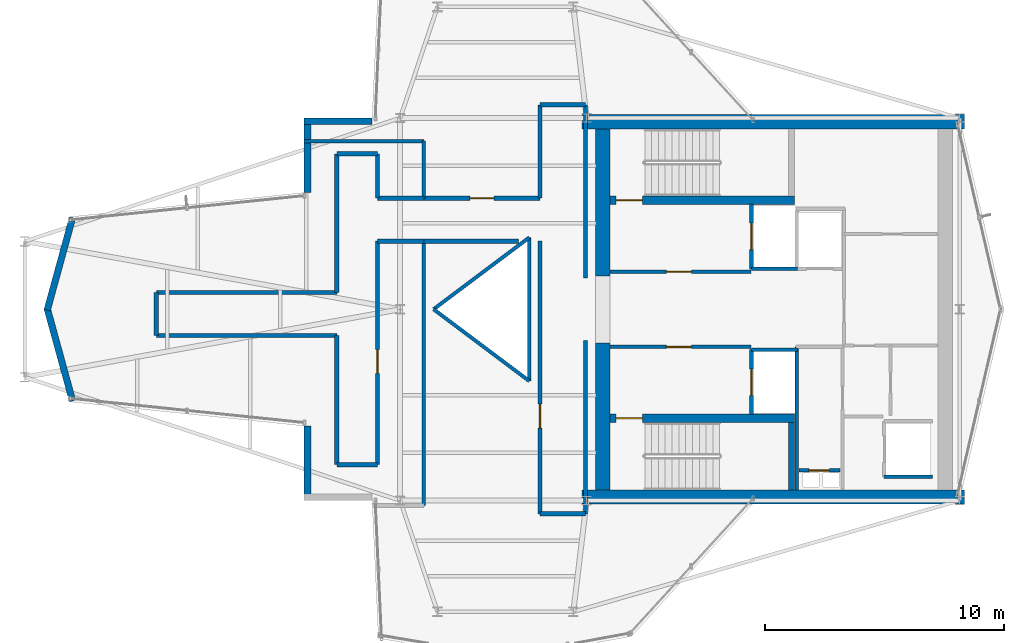
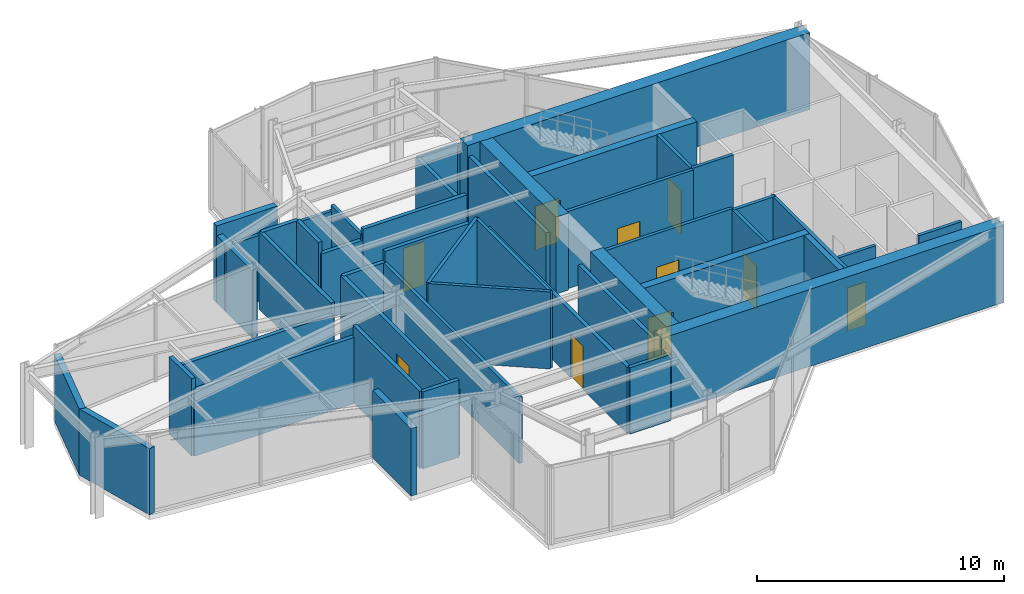
# One storey, part 12 of 14: 46 walls, 10 doors, 10 openings.
"""IFC4 building model written with IfcOpenShell, lengths in metres."""

from ifc_helpers import new_model, si_unit, direction, frame, frame_2d, origin, place, context, subcontext, project, spatial, rectangle, extrude, material, layer, layer_set, type_object, element, fill, save


model = new_model("IFC4")

# Units and contexts
model_context = context("Model", 3, precision=1e-05, world=origin(), true_north=direction((0.0, 1.0)))
body_context = subcontext(model_context, "Body", "Model", "MODEL_VIEW")
ifc_project = project(units=[si_unit("LENGTHUNIT", "METRE"), si_unit("AREAUNIT", "SQUARE_METRE"), si_unit("VOLUMEUNIT", "CUBIC_METRE"), si_unit("PLANEANGLEUNIT", "RADIAN"), si_unit("MASSUNIT", "GRAM", prefix="KILO")], contexts=[model_context])

# Site, building, storey
site_placement = place(None, origin())
site = spatial("IfcSite", under=ifc_project, at=site_placement, CompositionType="ELEMENT")
building_placement = place(site_placement, origin())
building = spatial("IfcBuilding", under=site, at=building_placement, Name="Veymaron Broadcast Tower", CompositionType="ELEMENT")
storey_placement = place(building_placement, frame((0.0, 0.0, 283.050048828125)))
storey = spatial("IfcBuildingStorey", under=building, at=storey_placement, Name="L66", CompositionType="ELEMENT", Elevation=283.050048828125)

# Walls
ifc_material_1 = material(Name="Precast concrete C40/50", Category="concrete")
ifc_layer_1 = layer(ifc_material_1, 0.280029296875)
ifc_layer_set_1 = layer_set([ifc_layer_1], Name="Precast concrete C40/50")
wall_type_1 = type_object("IfcWallType", Name="WALL-EXT-280", PredefinedType="STANDARD", material=ifc_layer_set_1)
wall_1_placement = place(storey_placement, frame((30.02197265625, 31.860107421875, 0.0), z_axis=(0.0, 0.0, 1.0), x_axis=(-1.0, 0.0, 0.0)))
element("IfcWall", 1, at=wall_1_placement, inside=storey, type_object=wall_type_1, Name="L66 notched corner facade pier 9-1", PredefinedType="STANDARD", context=body_context, shape_type="SweptSolid", body=[
    extrude(rectangle(XDim=2.83642578125, YDim=0.280029296875, at=frame_2d((1.418212890625, 0.0))), origin(), (0.0, 0.0, 1.0), 3.81005859375),
])
wall_2_placement = place(storey_placement, frame((27.32568359375, 32.0, 0.0), z_axis=(0.0, 0.0, 1.0), x_axis=(0.0, -1.0, 0.0)))
element("IfcWall", 2, at=wall_2_placement, inside=storey, type_object=wall_type_1, Name="L66 notched corner facade pier 10-1", PredefinedType="STANDARD", context=body_context, shape_type="SweptSolid", body=[
    extrude(rectangle(XDim=3.114013671875, YDim=0.280029296875, at=frame_2d((1.55712890625, 0.0))), origin(), (0.0, 0.0, 1.0), 3.3388671875),
])
for number, where, z_axis, x_axis, name in (
    (3, (17.4951171875, 27.83349609375, 0.0), (0.0, 0.0, 1.0), (-0.264373116581, -0.964420476364, 0.0), "L66 notched corner facade pier 12-1"),
    (4, (16.43408203125, 24.037109375, 0.0), (0.0, 0.0, 1.0), (0.264373116581, -0.964420476364, 0.0), "L66 notched corner facade pier 13-1"),
):
    element("IfcWall", number, at=place(storey_placement, frame(where, z_axis=z_axis, x_axis=x_axis)), inside=storey, type_object=wall_type_1, Name=name, PredefinedType="STANDARD", context=body_context, shape_type="SweptSolid", body=[
        extrude(rectangle(XDim=4.013427734375, YDim=0.280029296875, at=frame_2d((2.0068359375, 0.0))), origin(), (0.0, 0.0, 1.0), 3.27001953125),
    ])
wall_3_placement = place(storey_placement, frame((27.32568359375, 19.114013671875, 0.0), z_axis=(0.0, 0.0, 1.0), x_axis=(0.0, -1.0, 0.0)))
element("IfcWall", 5, at=wall_3_placement, inside=storey, type_object=wall_type_1, Name="L66 notched corner facade pier 15-1", PredefinedType="STANDARD", context=body_context, shape_type="SweptSolid", body=[
    extrude(rectangle(XDim=3.114013671875, YDim=0.280029296875, at=frame_2d((1.55712890625, 0.0))), origin(), (0.0, 0.0, 1.0), 3.3388671875),
])

# Wall, opening, door
ifc_material_2 = material(Name="Gypsum fireboard and steel stud framing", Category="steel")
ifc_layer_2 = layer(ifc_material_2, 0.14990234375)
ifc_layer_set_2 = layer_set([ifc_layer_2], Name="Gypsum fireboard and steel stud framing")
wall_type_2 = type_object("IfcWallType", Name="WALL-FIRE-150", PredefinedType="PARTITIONING", material=ifc_layer_set_2)
wall_4_placement = place(storey_placement, frame((39.97998046875, 25.574951171875, 0.0), z_axis=(0.0, 0.0, 1.0), x_axis=(1.0, 0.0, 0.0)))
wall_4 = element("IfcWall", 6, at=wall_4_placement, inside=storey, type_object=wall_type_2, Name="L66 partition IW-L66-FFLN-S", PredefinedType="PARTITIONING", context=body_context, shape_type="SweptSolid", body=[
    extrude(rectangle(XDim=5.89990234375, YDim=0.14990234375, at=frame_2d((2.949951171875, 0.0))), origin(), (0.0, 0.0, 1.0), 3.81005859375),
])
opening_1_placement = place(wall_4_placement, frame((2.35009765625, 0.0, 0.0)))
opening_1 = element("IfcOpeningElement", 7, at=opening_1_placement, cuts=wall_4, Name="Opening ID-FL1", PredefinedType="OPENING", context=body_context, shape_type="SweptSolid", body=[
    extrude(rectangle(XDim=1.050048828125, YDim=2.14990234375, at=frame_2d((0.52490234375, 1.074951171875))), frame((0.0, 0.0849609375, 0.0), z_axis=(0.0, -1.0, 0.0), x_axis=(1.0, 0.0, 0.0)), (0.0, 0.0, 1.0), 0.169921875),
])
ifc_material_3 = material(Name="Fire-rated painted hollow steel ASTM A653", Category="steel")
door_type_1 = type_object("IfcDoorType", Name="DOOR-FIRE-1050", OperationType="NOTDEFINED", PredefinedType="DOOR", material=ifc_material_3)
door_1_placement = place(opening_1_placement, origin())
door_1 = element("IfcDoor", 8, at=door_1_placement, inside=storey, type_object=door_type_1, Name="L66 door DR-L66-FFLN", OperationType="SINGLE_SWING_LEFT", OverallHeight=2.14990234375, OverallWidth=1.050048828125, PredefinedType="DOOR", context=body_context, shape_type="SweptSolid", body=[
    extrude(rectangle(XDim=1.050048828125, YDim=2.14990234375, at=frame_2d((0.52490234375, 1.074951171875))), frame((0.0, 0.02490234375, 0.0), z_axis=(0.0, -1.0, 0.0), x_axis=(1.0, 0.0, 0.0)), (0.0, 0.0, 1.0), 0.050048828125),
])
fill(opening_1, door_1)

wall_5_placement = place(storey_placement, frame((39.97998046875, 22.425048828125, 0.0), z_axis=(0.0, 0.0, 1.0), x_axis=(1.0, 0.0, 0.0)))
wall_5 = element("IfcWall", 9, at=wall_5_placement, inside=storey, type_object=wall_type_2, Name="L66 partition IW-L66-FFLS-N", PredefinedType="PARTITIONING", context=body_context, shape_type="SweptSolid", body=[
    extrude(rectangle(XDim=5.89990234375, YDim=0.14990234375, at=frame_2d((2.949951171875, 0.0))), origin(), (0.0, 0.0, 1.0), 3.81005859375),
])
opening_2_placement = place(wall_5_placement, frame((2.35009765625, 0.0, 0.0)))
opening_2 = element("IfcOpeningElement", 10, at=opening_2_placement, cuts=wall_5, Name="Opening ID-FL1", PredefinedType="OPENING", context=body_context, shape_type="SweptSolid", body=[
    extrude(rectangle(XDim=1.050048828125, YDim=2.14990234375, at=frame_2d((0.52490234375, 1.074951171875))), frame((0.0, 0.0849609375, 0.0), z_axis=(0.0, -1.0, 0.0), x_axis=(1.0, 0.0, 0.0)), (0.0, 0.0, 1.0), 0.169921875),
])
door_2_placement = place(opening_2_placement, frame((1.050048828125, 0.0, 0.0), z_axis=(0.0, 0.0, 1.0), x_axis=(-1.0, 0.0, 0.0)))
door_2 = element("IfcDoor", 11, at=door_2_placement, inside=storey, type_object=door_type_1, Name="L66 door DR-L66-FFLS", OperationType="SINGLE_SWING_RIGHT", OverallHeight=2.14990234375, OverallWidth=1.050048828125, PredefinedType="DOOR", context=body_context, shape_type="SweptSolid", body=[
    extrude(rectangle(XDim=1.050048828125, YDim=2.14990234375, at=frame_2d((0.52490234375, 1.074951171875))), frame((0.0, 0.02490234375, 0.0), z_axis=(0.0, -1.0, 0.0), x_axis=(1.0, 0.0, 0.0)), (0.0, 0.0, 1.0), 0.050048828125),
])
fill(opening_2, door_2)

wall_6_placement = place(storey_placement, frame((45.89501953125, 25.68994140625, 0.0), z_axis=(0.0, 0.0, 1.0), x_axis=(0.0, 1.0, 0.0)))
wall_6 = element("IfcWall", 12, at=wall_6_placement, inside=storey, type_object=wall_type_2, Name="L66 partition IW-L66-SHW-FFL-1", PredefinedType="PARTITIONING", context=body_context, shape_type="SweptSolid", body=[
    extrude(rectangle(XDim=2.719970703125, YDim=0.14990234375, at=frame_2d((1.35986328125, 0.0))), origin(), (0.0, 0.0, 1.0), 3.81005859375),
])
opening_3_placement = place(wall_6_placement, frame((0.81005859375, 0.0, 0.0)))
opening_3 = element("IfcOpeningElement", 13, at=opening_3_placement, cuts=wall_6, Name="Opening LD", PredefinedType="OPENING", context=body_context, shape_type="SweptSolid", body=[
    extrude(rectangle(XDim=1.10009765625, YDim=2.14990234375, at=frame_2d((0.550048828125, 1.074951171875))), frame((0.0, 0.0849609375, 0.0), z_axis=(0.0, -1.0, 0.0), x_axis=(1.0, 0.0, 0.0)), (0.0, 0.0, 1.0), 0.169921875),
])
ifc_material_4 = material(Name="Brushed stainless steel AISI 304", Category="steel")
door_type_2 = type_object("IfcDoorType", Name="DOOR-LIFT-1100", OperationType="DOUBLE_DOOR_SLIDING", PredefinedType="DOOR", material=ifc_material_4)
door_3_placement = place(opening_3_placement, frame((1.10009765625, 0.0, 0.0), z_axis=(0.0, 0.0, 1.0), x_axis=(-1.0, 0.0, 0.0)))
door_3 = element("IfcDoor", 14, at=door_3_placement, inside=storey, type_object=door_type_2, Name="L66 door LD-L66-FFL-1", OperationType="DOUBLE_DOOR_SLIDING", OverallHeight=2.14990234375, OverallWidth=1.10009765625, PredefinedType="DOOR", context=body_context, shape_type="SweptSolid", body=[
    extrude(rectangle(XDim=1.10009765625, YDim=2.14990234375, at=frame_2d((0.550048828125, 1.074951171875))), frame((0.0, 0.02490234375, 0.0), z_axis=(0.0, -1.0, 0.0), x_axis=(1.0, 0.0, 0.0)), (0.0, 0.0, 1.0), 0.050048828125),
])
fill(opening_3, door_3)

# Wall
wall_7_placement = place(storey_placement, frame((45.89501953125, 25.68994140625, 0.0), z_axis=(0.0, 0.0, 1.0), x_axis=(1.0, 0.0, 0.0)))
element("IfcWall", 15, at=wall_7_placement, inside=storey, type_object=wall_type_2, Name="L66 partition IW-L66-SHS-FFL-1", PredefinedType="PARTITIONING", context=body_context, shape_type="SweptSolid", body=[
    extrude(rectangle(XDim=1.9150390625, YDim=0.14990234375, at=frame_2d((0.95751953125, 0.0))), origin(), (0.0, 0.0, 1.0), 3.81005859375),
])

# Wall, opening, door
wall_8_placement = place(storey_placement, frame((45.89501953125, 19.590087890625, 0.0), z_axis=(0.0, 0.0, 1.0), x_axis=(0.0, 1.0, 0.0)))
wall_8 = element("IfcWall", 16, at=wall_8_placement, inside=storey, type_object=wall_type_2, Name="L66 partition IW-L66-SHW-FFL-2", PredefinedType="PARTITIONING", context=body_context, shape_type="SweptSolid", body=[
    extrude(rectangle(XDim=2.719970703125, YDim=0.14990234375, at=frame_2d((1.35986328125, 0.0))), origin(), (0.0, 0.0, 1.0), 3.81005859375),
])
opening_4_placement = place(wall_8_placement, frame((0.81005859375, 0.0, 0.0)))
opening_4 = element("IfcOpeningElement", 17, at=opening_4_placement, cuts=wall_8, Name="Opening LD", PredefinedType="OPENING", context=body_context, shape_type="SweptSolid", body=[
    extrude(rectangle(XDim=1.10009765625, YDim=2.14990234375, at=frame_2d((0.550048828125, 1.074951171875))), frame((0.0, 0.0849609375, 0.0), z_axis=(0.0, -1.0, 0.0), x_axis=(1.0, 0.0, 0.0)), (0.0, 0.0, 1.0), 0.169921875),
])
door_4_placement = place(opening_4_placement, frame((1.10009765625, 0.0, 0.0), z_axis=(0.0, 0.0, 1.0), x_axis=(-1.0, 0.0, 0.0)))
door_4 = element("IfcDoor", 18, at=door_4_placement, inside=storey, type_object=door_type_2, Name="L66 door LD-L66-FFL-2", OperationType="DOUBLE_DOOR_SLIDING", OverallHeight=2.14990234375, OverallWidth=1.10009765625, PredefinedType="DOOR", context=body_context, shape_type="SweptSolid", body=[
    extrude(rectangle(XDim=1.10009765625, YDim=2.14990234375, at=frame_2d((0.550048828125, 1.074951171875))), frame((0.0, 0.02490234375, 0.0), z_axis=(0.0, -1.0, 0.0), x_axis=(1.0, 0.0, 0.0)), (0.0, 0.0, 1.0), 0.050048828125),
])
fill(opening_4, door_4)

# Walls
wall_9_placement = place(storey_placement, frame((45.89501953125, 22.31005859375, 0.0), z_axis=(0.0, 0.0, 1.0), x_axis=(1.0, 0.0, 0.0)))
element("IfcWall", 19, at=wall_9_placement, inside=storey, type_object=wall_type_2, Name="L66 partition IW-L66-SHN-FFL-2", PredefinedType="PARTITIONING", context=body_context, shape_type="SweptSolid", body=[
    extrude(rectangle(XDim=1.9150390625, YDim=0.14990234375, at=frame_2d((0.95751953125, 0.0))), origin(), (0.0, 0.0, 1.0), 3.81005859375),
])
wall_10_placement = place(storey_placement, frame((51.445068359375, 16.989990234375, 0.0), z_axis=(0.0, 0.0, 1.0), x_axis=(1.0, 0.0, 0.0)))
element("IfcWall", 20, at=wall_10_placement, inside=storey, type_object=wall_type_2, Name="L66 partition IW-L66-SHS-PH1", PredefinedType="PARTITIONING", context=body_context, shape_type="SweptSolid", body=[
    extrude(rectangle(XDim=2.014892578125, YDim=0.14990234375, at=frame_2d((1.00732421875, 0.0))), origin(), (0.0, 0.0, 1.0), 3.81005859375),
])

# Wall, opening, door
wall_11_placement = place(storey_placement, frame((47.8798828125, 17.260009765625, 0.0), z_axis=(0.0, 0.0, 1.0), x_axis=(1.0, 0.0, 0.0)))
wall_11 = element("IfcWall", 21, at=wall_11_placement, inside=storey, type_object=wall_type_2, Name="L66 partition IW-L66-RIS-N", PredefinedType="PARTITIONING", context=body_context, shape_type="SweptSolid", body=[
    extrude(rectangle(XDim=1.72021484375, YDim=0.14990234375, at=frame_2d((0.860107421875, 0.0))), origin(), (0.0, 0.0, 1.0), 3.81005859375),
])
opening_5_placement = place(wall_11_placement, frame((0.419921875, 0.0, 0.0)))
opening_5 = element("IfcOpeningElement", 22, at=opening_5_placement, cuts=wall_11, Name="Opening ID-RS1", PredefinedType="OPENING", context=body_context, shape_type="SweptSolid", body=[
    extrude(rectangle(XDim=0.85009765625, YDim=2.14990234375, at=frame_2d((0.425048828125, 1.074951171875))), frame((0.0, 0.0849609375, 0.0), z_axis=(0.0, -1.0, 0.0), x_axis=(1.0, 0.0, 0.0)), (0.0, 0.0, 1.0), 0.169921875),
])
ifc_material_5 = material(Name="Fire-rated powder-coated steel riser leaf", Category="steel")
door_type_3 = type_object("IfcDoorType", Name="DOOR-RIS-850", OperationType="NOTDEFINED", PredefinedType="TRAPDOOR", material=ifc_material_5)
door_5_placement = place(opening_5_placement, origin())
door_5 = element("IfcDoor", 23, at=door_5_placement, inside=storey, type_object=door_type_3, Name="L66 door DR-L66-RIS", OperationType="SINGLE_SWING_LEFT", OverallHeight=2.14990234375, OverallWidth=0.85009765625, PredefinedType="TRAPDOOR", context=body_context, shape_type="SweptSolid", body=[
    extrude(rectangle(XDim=0.85009765625, YDim=2.14990234375, at=frame_2d((0.425048828125, 1.074951171875))), frame((0.0, 0.02490234375, 0.0), z_axis=(0.0, -1.0, 0.0), x_axis=(1.0, 0.0, 0.0)), (0.0, 0.0, 1.0), 0.050048828125),
])
fill(opening_5, door_5)

# Wall
wall_12_placement = place(storey_placement, frame((47.780029296875, 16.449951171875, 0.0), z_axis=(0.0, 0.0, 1.0), x_axis=(0.0, 1.0, 0.0)))
element("IfcWall", 24, at=wall_12_placement, inside=storey, type_object=wall_type_2, Name="L66 partition IW-L66-SM-W", PredefinedType="PARTITIONING", context=body_context, shape_type="SweptSolid", body=[
    extrude(rectangle(XDim=5.97509765625, YDim=0.14990234375, at=frame_2d((2.987548828125, 0.0))), origin(), (0.0, 0.0, 1.0), 3.81005859375),
])

# Wall, opening, door
ifc_material_6 = material(Name="Concrete C40/50", Category="concrete")
ifc_layer_3 = layer(ifc_material_6, 0.179931640625)
ifc_layer_set_3 = layer_set([ifc_layer_3], Name="Concrete C40/50")
wall_type_3 = type_object("IfcWallType", Name="WALL-FIRE-180", PredefinedType="SOLIDWALL", material=ifc_layer_set_3)
wall_13_placement = place(storey_placement, frame((37.050048828125, 15.44677734375, 0.0), z_axis=(0.0, 0.0, 1.0), x_axis=(0.0, 1.0, 0.0)))
wall_13 = element("IfcWall", 25, at=wall_13_placement, inside=storey, type_object=wall_type_3, Name="L66 partition IW-L66-P01", PredefinedType="SOLIDWALL", context=body_context, shape_type="SweptSolid", body=[
    extrude(rectangle(XDim=11.4033203125, YDim=0.179931640625, at=frame_2d((5.70166015625, 0.0))), origin(), (0.0, 0.0, 1.0), 3.27001953125),
])
opening_6_placement = place(wall_13_placement, frame((3.58154296875, 0.0, 0.0)))
opening_6 = element("IfcOpeningElement", 26, at=opening_6_placement, cuts=wall_13, Name="Opening ID-RM3", PredefinedType="OPENING", context=body_context, shape_type="SweptSolid", body=[
    extrude(rectangle(XDim=1.0, YDim=2.14990234375, at=frame_2d((0.5, 1.074951171875))), frame((0.0, 0.10009765625, 0.0), z_axis=(0.0, -1.0, 0.0), x_axis=(1.0, 0.0, 0.0)), (0.0, 0.0, 1.0), 0.199951171875),
])
ifc_material_7 = material(Name="Acoustic solid-core European oak veneer timber", Category="wood")
door_type_4 = type_object("IfcDoorType", Name="DOOR-INT-1000", OperationType="NOTDEFINED", PredefinedType="DOOR", material=ifc_material_7)
door_6_placement = place(opening_6_placement, frame((1.0, 0.0, 0.0), z_axis=(0.0, 0.0, 1.0), x_axis=(-1.0, 0.0, 0.0)))
door_6 = element("IfcDoor", 27, at=door_6_placement, inside=storey, type_object=door_type_4, Name="L66 door DR-L66-P01", OperationType="SINGLE_SWING_RIGHT", OverallHeight=2.14990234375, OverallWidth=1.0, PredefinedType="DOOR", context=body_context, shape_type="SweptSolid", body=[
    extrude(rectangle(XDim=1.0, YDim=2.14990234375, at=frame_2d((0.5, 1.074951171875))), frame((0.0, 0.02490234375, 0.0), z_axis=(0.0, -1.0, 0.0), x_axis=(1.0, 0.0, 0.0)), (0.0, 0.0, 1.0), 0.050048828125),
])
fill(opening_6, door_6)

wall_14_placement = place(storey_placement, frame((30.25, 17.5, 0.0), z_axis=(0.0, 0.0, 1.0), x_axis=(0.0, 1.0, 0.0)))
wall_14 = element("IfcWall", 28, at=wall_14_placement, inside=storey, type_object=wall_type_3, Name="L66 partition IW-L66-P05", PredefinedType="SOLIDWALL", context=body_context, shape_type="SweptSolid", body=[
    extrude(rectangle(XDim=9.35009765625, YDim=0.179931640625, at=frame_2d((4.675048828125, 0.0))), origin(), (0.0, 0.0, 1.0), 3.27001953125),
])
opening_7_placement = place(wall_14_placement, frame((3.81494140625, 0.0, 0.0)))
opening_7 = element("IfcOpeningElement", 29, at=opening_7_placement, cuts=wall_14, Name="Opening ID-RM3", PredefinedType="OPENING", context=body_context, shape_type="SweptSolid", body=[
    extrude(rectangle(XDim=1.0, YDim=2.14990234375, at=frame_2d((0.5, 1.074951171875))), frame((0.0, 0.10009765625, 0.0), z_axis=(0.0, -1.0, 0.0), x_axis=(1.0, 0.0, 0.0)), (0.0, 0.0, 1.0), 0.199951171875),
])
door_7_placement = place(opening_7_placement, frame((1.0, 0.0, 0.0), z_axis=(0.0, 0.0, 1.0), x_axis=(-1.0, 0.0, 0.0)))
door_7 = element("IfcDoor", 30, at=door_7_placement, inside=storey, type_object=door_type_4, Name="L66 door DR-L66-P05", OperationType="SINGLE_SWING_RIGHT", OverallHeight=2.14990234375, OverallWidth=1.0, PredefinedType="DOOR", context=body_context, shape_type="SweptSolid", body=[
    extrude(rectangle(XDim=1.0, YDim=2.14990234375, at=frame_2d((0.5, 1.074951171875))), frame((0.0, 0.02490234375, 0.0), z_axis=(0.0, -1.0, 0.0), x_axis=(1.0, 0.0, 0.0)), (0.0, 0.0, 1.0), 0.050048828125),
])
fill(opening_7, door_7)

wall_15_placement = place(storey_placement, frame((32.194091796875, 28.64990234375, 0.0), z_axis=(0.0, 0.0, 1.0), x_axis=(1.0, 0.0, 0.0)))
wall_15 = element("IfcWall", 31, at=wall_15_placement, inside=storey, type_object=wall_type_3, Name="L66 partition IW-L66-P17", PredefinedType="SOLIDWALL", context=body_context, shape_type="SweptSolid", body=[
    extrude(rectangle(XDim=4.85595703125, YDim=0.179931640625, at=frame_2d((2.427978515625, 0.0))), origin(), (0.0, 0.0, 1.0), 3.81005859375),
])
opening_8_placement = place(wall_15_placement, frame((1.927978515625, 0.0, 0.0)))
opening_8 = element("IfcOpeningElement", 32, at=opening_8_placement, cuts=wall_15, Name="Opening ID-RM3", PredefinedType="OPENING", context=body_context, shape_type="SweptSolid", body=[
    extrude(rectangle(XDim=1.0, YDim=2.14990234375, at=frame_2d((0.5, 1.074951171875))), frame((0.0, 0.10009765625, 0.0), z_axis=(0.0, -1.0, 0.0), x_axis=(1.0, 0.0, 0.0)), (0.0, 0.0, 1.0), 0.199951171875),
])
door_8_placement = place(opening_8_placement, origin())
door_8 = element("IfcDoor", 33, at=door_8_placement, inside=storey, type_object=door_type_4, Name="L66 door DR-L66-P17", OperationType="SINGLE_SWING_RIGHT", OverallHeight=2.14990234375, OverallWidth=1.0, PredefinedType="DOOR", context=body_context, shape_type="SweptSolid", body=[
    extrude(rectangle(XDim=1.0, YDim=2.14990234375, at=frame_2d((0.5, 1.074951171875))), frame((0.0, 0.02490234375, 0.0), z_axis=(0.0, -1.0, 0.0), x_axis=(1.0, 0.0, 0.0)), (0.0, 0.0, 1.0), 0.050048828125),
])
fill(opening_8, door_8)

# Walls
wall_16_placement = place(storey_placement, frame((38.949951171875, 15.44677734375, 0.0), z_axis=(0.0, 0.0, 1.0), x_axis=(0.0, 1.0, 0.0)))
element("IfcWall", 34, at=wall_16_placement, inside=storey, type_object=wall_type_3, Name="L66 partition IW-L66-P02", PredefinedType="SOLIDWALL", context=body_context, shape_type="SweptSolid", body=[
    extrude(rectangle(XDim=7.253173828125, YDim=0.179931640625, at=frame_2d((3.62646484375, 0.0))), origin(), (0.0, 0.0, 1.0), 3.27001953125),
])
wall_17_placement = place(storey_placement, frame((32.194091796875, 26.85009765625, 0.0), z_axis=(0.0, 0.0, 1.0), x_axis=(1.0, 0.0, 0.0)))
element("IfcWall", 35, at=wall_17_placement, inside=storey, type_object=wall_type_3, Name="L66 partition IW-L66-P03", PredefinedType="SOLIDWALL", context=body_context, shape_type="SweptSolid", body=[
    extrude(rectangle(XDim=3.955810546875, YDim=0.179931640625, at=frame_2d((1.97802734375, 0.0))), origin(), (0.0, 0.0, 1.0), 3.81005859375),
])
wall_18_placement = place(storey_placement, frame((37.050048828125, 15.44677734375, 0.0), z_axis=(0.0, 0.0, 1.0), x_axis=(1.0, 0.0, 0.0)))
element("IfcWall", 36, at=wall_18_placement, inside=storey, type_object=wall_type_3, Name="L66 partition IW-L66-P04", PredefinedType="SOLIDWALL", context=body_context, shape_type="SweptSolid", body=[
    extrude(rectangle(XDim=1.89990234375, YDim=0.179931640625, at=frame_2d((0.949951171875, 0.0))), origin(), (0.0, 0.0, 1.0), 3.27001953125),
])
for number, where, z_axis, x_axis, name in (
    (37, (21.0, 22.89990234375, 0.0), (0.0, 0.0, 1.0), (1.0, 0.0, 0.0), "L66 partition IW-L66-P06"),
    (38, (21.0, 24.699951171875, 0.0), (0.0, 0.0, 1.0), (1.0, 0.0, 0.0), "L66 partition IW-L66-P07"),
):
    element("IfcWall", number, at=place(storey_placement, frame(where, z_axis=z_axis, x_axis=x_axis)), inside=storey, type_object=wall_type_3, Name=name, PredefinedType="SOLIDWALL", context=body_context, shape_type="SweptSolid", body=[
        extrude(rectangle(XDim=7.550048828125, YDim=0.179931640625, at=frame_2d((3.77490234375, 0.0))), origin(), (0.0, 0.0, 1.0), 3.27001953125),
    ])
wall_19_placement = place(storey_placement, frame((28.550048828125, 24.699951171875, 0.0), z_axis=(0.0, 0.0, 1.0), x_axis=(0.0, 1.0, 0.0)))
element("IfcWall", 39, at=wall_19_placement, inside=storey, type_object=wall_type_3, Name="L66 partition IW-L66-P08", PredefinedType="SOLIDWALL", context=body_context, shape_type="SweptSolid", body=[
    extrude(rectangle(XDim=5.800048828125, YDim=0.179931640625, at=frame_2d((2.89990234375, 0.0))), origin(), (0.0, 0.0, 1.0), 3.81005859375),
])
wall_20_placement = place(storey_placement, frame((28.550048828125, 17.5, 0.0), z_axis=(0.0, 0.0, 1.0), x_axis=(0.0, 1.0, 0.0)))
element("IfcWall", 40, at=wall_20_placement, inside=storey, type_object=wall_type_3, Name="L66 partition IW-L66-P09", PredefinedType="SOLIDWALL", context=body_context, shape_type="SweptSolid", body=[
    extrude(rectangle(XDim=5.39990234375, YDim=0.179931640625, at=frame_2d((2.699951171875, 0.0))), origin(), (0.0, 0.0, 1.0), 3.81005859375),
])
for number, where, z_axis, x_axis, name in (
    (41, (30.25, 26.85009765625, 0.0), (0.0, 0.0, 1.0), (1.0, 0.0, 0.0), "L66 partition IW-L66-P10"),
    (42, (30.25, 28.64990234375, 0.0), (0.0, 0.0, 1.0), (1.0, 0.0, 0.0), "L66 partition IW-L66-P11"),
):
    element("IfcWall", number, at=place(storey_placement, frame(where, z_axis=z_axis, x_axis=x_axis)), inside=storey, type_object=wall_type_3, Name=name, PredefinedType="SOLIDWALL", context=body_context, shape_type="SweptSolid", body=[
        extrude(rectangle(XDim=1.944091796875, YDim=0.179931640625, at=frame_2d((0.97216796875, 0.0))), origin(), (0.0, 0.0, 1.0), 3.27001953125),
    ])
wall_21_placement = place(storey_placement, frame((30.25, 28.64990234375, 0.0), z_axis=(0.0, 0.0, 1.0), x_axis=(0.0, 1.0, 0.0)))
element("IfcWall", 43, at=wall_21_placement, inside=storey, type_object=wall_type_3, Name="L66 partition IW-L66-P12", PredefinedType="SOLIDWALL", context=body_context, shape_type="SweptSolid", body=[
    extrude(rectangle(XDim=1.85009765625, YDim=0.179931640625, at=frame_2d((0.925048828125, 0.0))), origin(), (0.0, 0.0, 1.0), 3.81005859375),
])
wall_22_placement = place(storey_placement, frame((21.0, 22.89990234375, 0.0), z_axis=(0.0, 0.0, 1.0), x_axis=(0.0, 1.0, 0.0)))
element("IfcWall", 44, at=wall_22_placement, inside=storey, type_object=wall_type_3, Name="L66 partition IW-L66-P13", PredefinedType="SOLIDWALL", context=body_context, shape_type="SweptSolid", body=[
    extrude(rectangle(XDim=1.800048828125, YDim=0.179931640625, at=frame_2d((0.89990234375, 0.0))), origin(), (0.0, 0.0, 1.0), 3.81005859375),
])
for number, where, z_axis, x_axis, name in (
    (45, (28.550048828125, 17.5, 0.0), (0.0, 0.0, 1.0), (1.0, 0.0, 0.0), "L66 partition IW-L66-P14"),
    (46, (28.550048828125, 30.5, 0.0), (0.0, 0.0, 1.0), (1.0, 0.0, 0.0), "L66 partition IW-L66-P15"),
):
    element("IfcWall", number, at=place(storey_placement, frame(where, z_axis=z_axis, x_axis=x_axis)), inside=storey, type_object=wall_type_3, Name=name, PredefinedType="SOLIDWALL", context=body_context, shape_type="SweptSolid", body=[
        extrude(rectangle(XDim=1.699951171875, YDim=0.179931640625, at=frame_2d((0.85009765625, 0.0))), origin(), (0.0, 0.0, 1.0), 3.81005859375),
    ])
wall_23_placement = place(storey_placement, frame((38.949951171875, 25.300048828125, 0.0), z_axis=(0.0, 0.0, 1.0), x_axis=(0.0, 1.0, 0.0)))
element("IfcWall", 47, at=wall_23_placement, inside=storey, type_object=wall_type_3, Name="L66 partition IW-L66-P16", PredefinedType="SOLIDWALL", context=body_context, shape_type="SweptSolid", body=[
    extrude(rectangle(XDim=7.253173828125, YDim=0.179931640625, at=frame_2d((3.62646484375, 0.0))), origin(), (0.0, 0.0, 1.0), 3.27001953125),
])
wall_24_placement = place(storey_placement, frame((37.050048828125, 28.64990234375, 0.0), z_axis=(0.0, 0.0, 1.0), x_axis=(0.0, 1.0, 0.0)))
element("IfcWall", 48, at=wall_24_placement, inside=storey, type_object=wall_type_3, Name="L66 partition IW-L66-P18", PredefinedType="SOLIDWALL", context=body_context, shape_type="SweptSolid", body=[
    extrude(rectangle(XDim=3.9033203125, YDim=0.179931640625, at=frame_2d((1.95166015625, 0.0))), origin(), (0.0, 0.0, 1.0), 3.27001953125),
])
wall_25_placement = place(storey_placement, frame((37.050048828125, 32.55322265625, 0.0), z_axis=(0.0, 0.0, 1.0), x_axis=(1.0, 0.0, 0.0)))
element("IfcWall", 49, at=wall_25_placement, inside=storey, type_object=wall_type_3, Name="L66 partition IW-L66-P19", PredefinedType="SOLIDWALL", context=body_context, shape_type="SweptSolid", body=[
    extrude(rectangle(XDim=1.89990234375, YDim=0.179931640625, at=frame_2d((0.949951171875, 0.0))), origin(), (0.0, 0.0, 1.0), 3.27001953125),
])
ifc_material_8 = material(Name="Fire-rated laminated glass in aluminium frame", Category="aluminium")
ifc_layer_4 = layer(ifc_material_8, 0.14990234375)
ifc_layer_set_4 = layer_set([ifc_layer_4], Name="Fire-rated laminated glass in aluminium frame")
wall_type_4 = type_object("IfcWallType", Name="WALL-GLZ-150", PredefinedType="MOVABLE", material=ifc_layer_set_4)
wall_26_placement = place(storey_placement, frame((32.194091796875, 15.7939453125, 0.0), z_axis=(0.0, 0.0, 1.0), x_axis=(0.0, 1.0, 0.0)))
element("IfcWall", 50, at=wall_26_placement, inside=storey, type_object=wall_type_4, Name="L66 partition IW-L66-P20", PredefinedType="MOVABLE", context=body_context, shape_type="SweptSolid", body=[
    extrude(rectangle(XDim=11.05615234375, YDim=0.14990234375, at=frame_2d((5.528076171875, 0.0))), origin(), (0.0, 0.0, 1.0), 3.27001953125),
])
wall_27_placement = place(storey_placement, frame((27.185546875, 31.033935546875, 0.0), z_axis=(0.0, 0.0, 1.0), x_axis=(1.0, 0.0, 0.0)))
element("IfcWall", 51, at=wall_27_placement, inside=storey, type_object=wall_type_4, Name="L66 partition IW-L66-P22", PredefinedType="MOVABLE", context=body_context, shape_type="SweptSolid", body=[
    extrude(rectangle(XDim=5.008544921875, YDim=0.14990234375, at=frame_2d((2.50439453125, 0.0))), origin(), (0.0, 0.0, 1.0), 3.27001953125),
])
wall_28_placement = place(storey_placement, frame((32.194091796875, 28.64990234375, 0.0), z_axis=(0.0, 0.0, 1.0), x_axis=(0.0, 1.0, 0.0)))
element("IfcWall", 52, at=wall_28_placement, inside=storey, type_object=wall_type_4, Name="L66 partition IW-L66-P23", PredefinedType="MOVABLE", context=body_context, shape_type="SweptSolid", body=[
    extrude(rectangle(XDim=2.384033203125, YDim=0.14990234375, at=frame_2d((1.19189453125, 0.0))), origin(), (0.0, 0.0, 1.0), 3.5400390625),
])
wall_29_placement = place(storey_placement, frame((32.60009765625, 24.0, 0.0), z_axis=(0.0, 0.0, 1.0), x_axis=(0.8, -0.6, 0.0)))
element("IfcWall", 53, at=wall_29_placement, inside=storey, type_object=wall_type_4, Name="L66 partition IW-L66-ATR1", PredefinedType="MOVABLE", context=body_context, shape_type="SweptSolid", body=[
    extrude(rectangle(XDim=5.0, YDim=0.14990234375, at=frame_2d((2.5, 0.0))), origin(), (0.0, 0.0, 1.0), 3.81005859375),
])
wall_30_placement = place(storey_placement, frame((36.60009765625, 21.0, 0.0), z_axis=(0.0, 0.0, 1.0), x_axis=(0.0, 1.0, 0.0)))
element("IfcWall", 54, at=wall_30_placement, inside=storey, type_object=wall_type_4, Name="L66 partition IW-L66-ATR2", PredefinedType="MOVABLE", context=body_context, shape_type="SweptSolid", body=[
    extrude(rectangle(XDim=6.0, YDim=0.14990234375, at=frame_2d((3.0, 0.0))), origin(), (0.0, 0.0, 1.0), 3.81005859375),
])
wall_31_placement = place(storey_placement, frame((36.60009765625, 27.0, 0.0), z_axis=(0.0, 0.0, 1.0), x_axis=(-0.8, -0.6, 0.0)))
element("IfcWall", 55, at=wall_31_placement, inside=storey, type_object=wall_type_4, Name="L66 partition IW-L66-ATR3", PredefinedType="MOVABLE", context=body_context, shape_type="SweptSolid", body=[
    extrude(rectangle(XDim=5.0, YDim=0.14990234375, at=frame_2d((2.5, 0.0))), origin(), (0.0, 0.0, 1.0), 3.81005859375),
])
ifc_material_9 = material(Name="Concrete C50/60", Category="concrete")
ifc_layer_5 = layer(ifc_material_9, 0.25)
ifc_layer_set_5 = layer_set([ifc_layer_5], Name="Concrete C50/60")
wall_type_5 = type_object("IfcWallType", Name="WALL-SHEAR-250", PredefinedType="SHEAR", material=ifc_layer_set_5)
wall_32_placement = place(storey_placement, frame((47.56494140625, 16.449951171875, 0.0), z_axis=(0.0, 0.0, 1.0), x_axis=(0.0, 1.0, 0.0)))
element("IfcWall", 56, at=wall_32_placement, inside=storey, type_object=wall_type_5, Name="L66 Core Wall south stair east shear", PredefinedType="SHEAR", context=body_context, shape_type="SweptSolid", body=[
    extrude(rectangle(XDim=2.820068359375, YDim=0.25, at=frame_2d((1.41015625, 0.0))), origin(), (0.0, 0.0, 1.0), 3.81005859375),
])

# Wall, opening, door
ifc_layer_6 = layer(ifc_material_9, 0.35009765625)
ifc_layer_set_6 = layer_set([ifc_layer_6], Name="Concrete C50/60")
wall_type_6 = type_object("IfcWallType", Name="WALL-SHEAR-350", PredefinedType="SHEAR", material=ifc_layer_set_6)
wall_33_placement = place(storey_placement, frame((39.97998046875, 28.554931640625, 0.0), z_axis=(0.0, 0.0, 1.0), x_axis=(1.0, 0.0, 0.0)))
wall_33 = element("IfcWall", 57, at=wall_33_placement, inside=storey, type_object=wall_type_6, Name="L66 Core Wall north stair spine", PredefinedType="SHEAR", context=body_context, shape_type="SweptSolid", body=[
    extrude(rectangle(XDim=7.7099609375, YDim=0.35009765625, at=frame_2d((3.85498046875, 0.0))), origin(), (0.0, 0.0, 1.0), 3.81005859375),
])
opening_9_placement = place(wall_33_placement, frame((0.25, 0.0, 0.0)))
opening_9 = element("IfcOpeningElement", 58, at=opening_9_placement, cuts=wall_33, Name="Opening ID-ST1", PredefinedType="OPENING", context=body_context, shape_type="SweptSolid", body=[
    extrude(rectangle(XDim=1.10009765625, YDim=2.14990234375, at=frame_2d((0.550048828125, 1.074951171875))), frame((0.0, 0.18505859375, 0.0), z_axis=(0.0, -1.0, 0.0), x_axis=(1.0, 0.0, 0.0)), (0.0, 0.0, 1.0), 0.3701171875),
])
door_type_5 = type_object("IfcDoorType", Name="DOOR-STAIR-1100", OperationType="NOTDEFINED", PredefinedType="DOOR", material=ifc_material_3)
door_9_placement = place(opening_9_placement, origin())
door_9 = element("IfcDoor", 59, at=door_9_placement, inside=storey, type_object=door_type_5, Name="L66 exit stair ST1 fire door", OperationType="SINGLE_SWING_LEFT", OverallHeight=2.14990234375, OverallWidth=1.10009765625, PredefinedType="DOOR", context=body_context, shape_type="SweptSolid", body=[
    extrude(rectangle(XDim=1.10009765625, YDim=2.14990234375, at=frame_2d((0.550048828125, 1.074951171875))), frame((0.0, 0.02490234375, 0.0), z_axis=(0.0, -1.0, 0.0), x_axis=(1.0, 0.0, 0.0)), (0.0, 0.0, 1.0), 0.050048828125),
])
fill(opening_9, door_9)

wall_34_placement = place(storey_placement, frame((39.97998046875, 19.445068359375, 0.0), z_axis=(0.0, 0.0, 1.0), x_axis=(1.0, 0.0, 0.0)))
wall_34 = element("IfcWall", 60, at=wall_34_placement, inside=storey, type_object=wall_type_6, Name="L66 Core Wall south stair spine", PredefinedType="SHEAR", context=body_context, shape_type="SweptSolid", body=[
    extrude(rectangle(XDim=7.7099609375, YDim=0.35009765625, at=frame_2d((3.85498046875, 0.0))), origin(), (0.0, 0.0, 1.0), 3.81005859375),
])
opening_10_placement = place(wall_34_placement, frame((0.25, 0.0, 0.0)))
opening_10 = element("IfcOpeningElement", 61, at=opening_10_placement, cuts=wall_34, Name="Opening ID-ST1", PredefinedType="OPENING", context=body_context, shape_type="SweptSolid", body=[
    extrude(rectangle(XDim=1.10009765625, YDim=2.14990234375, at=frame_2d((0.550048828125, 1.074951171875))), frame((0.0, 0.18505859375, 0.0), z_axis=(0.0, -1.0, 0.0), x_axis=(1.0, 0.0, 0.0)), (0.0, 0.0, 1.0), 0.3701171875),
])
door_10_placement = place(opening_10_placement, frame((1.10009765625, 0.0, 0.0), z_axis=(0.0, 0.0, 1.0), x_axis=(-1.0, 0.0, 0.0)))
door_10 = element("IfcDoor", 62, at=door_10_placement, inside=storey, type_object=door_type_5, Name="L66 exit stair ST2 fire door", OperationType="SINGLE_SWING_RIGHT", OverallHeight=2.14990234375, OverallWidth=1.10009765625, PredefinedType="DOOR", context=body_context, shape_type="SweptSolid", body=[
    extrude(rectangle(XDim=1.10009765625, YDim=2.14990234375, at=frame_2d((0.550048828125, 1.074951171875))), frame((0.0, 0.02490234375, 0.0), z_axis=(0.0, -1.0, 0.0), x_axis=(1.0, 0.0, 0.0)), (0.0, 0.0, 1.0), 0.050048828125),
])
fill(opening_10, door_10)

# Walls
ifc_layer_7 = layer(ifc_material_9, 0.60009765625)
ifc_layer_set_7 = layer_set([ifc_layer_7], Name="Concrete C50/60")
wall_type_7 = type_object("IfcWallType", Name="WALL-SHEAR-600", PredefinedType="SHEAR", material=ifc_layer_set_7)
for number, where, z_axis, x_axis, name in (
    (63, (38.800048828125, 31.85009765625, 0.0), (0.0, 0.0, 1.0), (1.0, 0.0, 0.0), "L66 Core Wall north shear"),
    (64, (38.800048828125, 16.14990234375, 0.0), (0.0, 0.0, 1.0), (1.0, 0.0, 0.0), "L66 Core Wall south shear"),
):
    element("IfcWall", number, at=place(storey_placement, frame(where, z_axis=z_axis, x_axis=x_axis)), inside=storey, type_object=wall_type_7, Name=name, PredefinedType="SHEAR", context=body_context, shape_type="SweptSolid", body=[
        extrude(rectangle(XDim=16.0, YDim=0.60009765625, at=frame_2d((8.0, 0.0))), origin(), (0.0, 0.0, 1.0), 3.81005859375),
    ])
for number, where, z_axis, x_axis, name in (
    (65, (39.679931640625, 16.449951171875, 0.0), (0.0, 0.0, 1.0), (0.0, 1.0, 0.0), "L66 Core Wall west-south shear"),
    (66, (39.679931640625, 25.39990234375, 0.0), (0.0, 0.0, 1.0), (0.0, 1.0, 0.0), "L66 Core Wall west-north shear"),
):
    element("IfcWall", number, at=place(storey_placement, frame(where, z_axis=z_axis, x_axis=x_axis)), inside=storey, type_object=wall_type_7, Name=name, PredefinedType="SHEAR", context=body_context, shape_type="SweptSolid", body=[
        extrude(rectangle(XDim=6.150146484375, YDim=0.60009765625, at=frame_2d((3.0751953125, 0.0))), origin(), (0.0, 0.0, 1.0), 3.81005859375),
    ])

save(model, "model.ifc")
